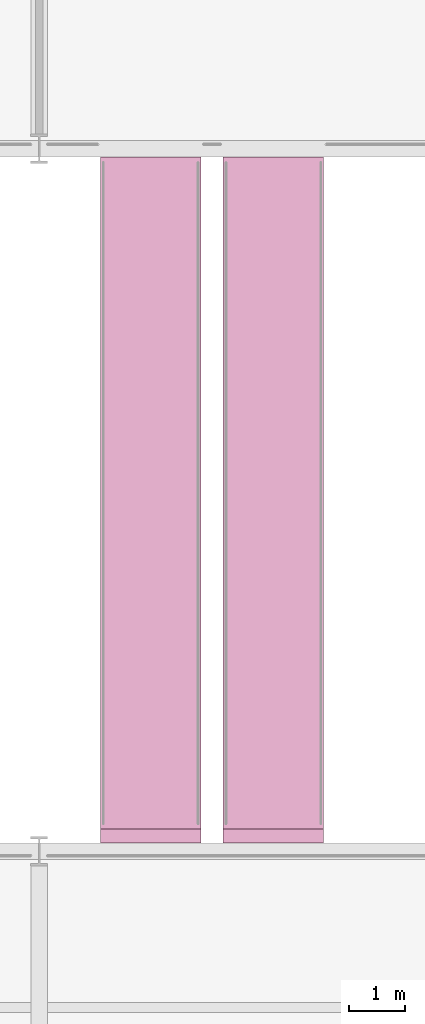
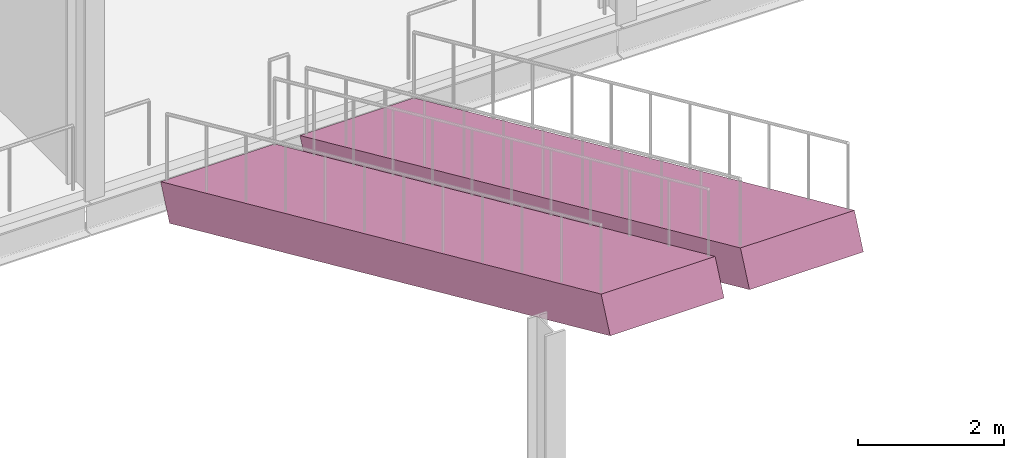
# One storey, part 64 of 64: 2 transport elements.
"""IFC4 building model written with IfcOpenShell, lengths in metres."""

from ifc_helpers import new_model, si_unit, direction, frame, origin, origin_2d, place, context, subcontext, project, spatial, rectangle, extrude, material, material_profile, profile_set, type_object, element, save


model = new_model("IFC4")

# Units and contexts
model_context = context("Model", 3, precision=1e-05, world=origin(), true_north=direction((0.0, 1.0)))
body_context = subcontext(model_context, "Body", "Model", "MODEL_VIEW")
ifc_project = project(units=[si_unit("LENGTHUNIT", "METRE"), si_unit("AREAUNIT", "SQUARE_METRE"), si_unit("VOLUMEUNIT", "CUBIC_METRE"), si_unit("PLANEANGLEUNIT", "RADIAN"), si_unit("MASSUNIT", "GRAM", prefix="KILO")], contexts=[model_context])

# Site, building, storey
site_placement = place(None, origin())
site = spatial("IfcSite", under=ifc_project, at=site_placement, CompositionType="ELEMENT")
building_placement = place(site_placement, origin())
building = spatial("IfcBuilding", under=site, at=building_placement, Name="Galleria Vessillo Department Store", CompositionType="ELEMENT")
storey_placement = place(building_placement, frame((0.0, 0.0, 6.0)))
storey = spatial("IfcBuildingStorey", under=building, at=storey_placement, Name="L01", CompositionType="ELEMENT", Elevation=6.0)

# Transport elements
ifc_material = material(Name="Steel S355 J2", Category="steel")
ifc_material_profile = material_profile(ifc_material, rectangle(XDim=1.800048828125, YDim=0.60009765625, at=origin_2d()), Name="Escalator truss 1800 x 600")
ifc_profile_set = profile_set([ifc_material_profile], Name="Steel S355 J2")
transport_element_type = type_object("IfcTransportElementType", Name="Escalator truss 1400 mm steps", PredefinedType="ESCALATOR", material=ifc_profile_set)
for number, where, z_axis, x_axis, name in (
    (1, (52.39990234375, 37.52685546875, -0.435546875), (0.0, -0.911723758879, 0.410803830917), (1.0, 0.0, 0.0), "Escalator ES3 L01 to L02"),
    (2, (54.60009765625, 37.52685546875, -0.435546875), (0.0, -0.911723758879, 0.410803830917), (1.0, 0.0, 0.0), "Escalator ES4 L01 to L02"),
):
    element("IfcTransportElement", number, at=place(storey_placement, frame(where, z_axis=z_axis, x_axis=x_axis)), inside=storey, type_object=transport_element_type, Name=name, PredefinedType="ESCALATOR", context=body_context, shape_type="SweptSolid", body=[
        extrude(rectangle(XDim=1.800048828125, YDim=0.60009765625, at=origin_2d()), origin(), (0.0, 0.0, 1.0), 13.220703125),
    ])

save(model, "model.ifc")
